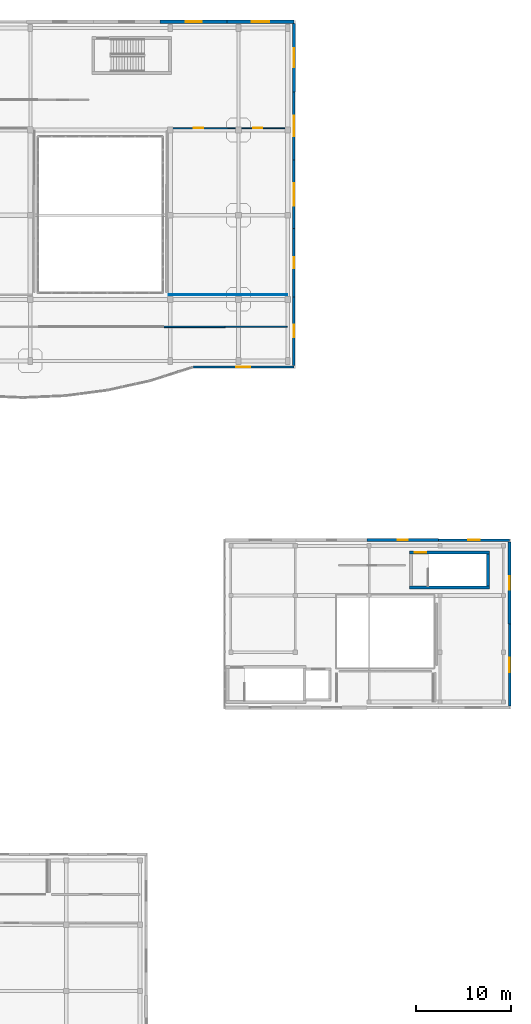
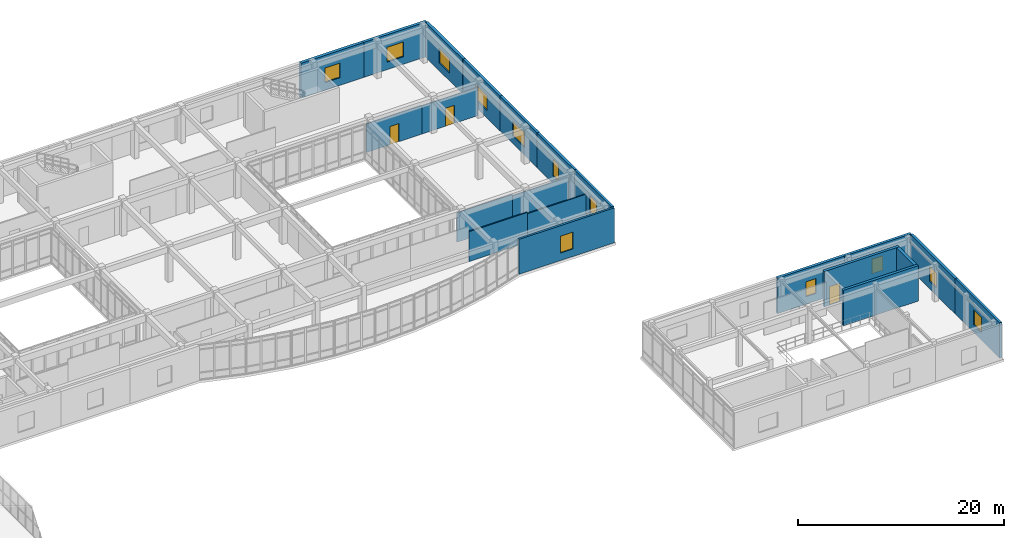
# One storey, part 128 of 142: 21 walls, 12 windows, 3 doors, 15 openings.
"""IFC4 building model written with IfcOpenShell, lengths in metres."""

from ifc_helpers import new_model, si_unit, direction, frame, frame_2d, origin, place, context, subcontext, project, spatial, rectangle, extrude, material, layer, layer_set, type_object, element, fill, save


model = new_model("IFC4")

# Units and contexts
model_context = context("Model", 3, precision=1e-05, world=origin(), true_north=direction((0.0, 1.0)))
body_context = subcontext(model_context, "Body", "Model", "MODEL_VIEW")
ifc_project = project(units=[si_unit("LENGTHUNIT", "METRE"), si_unit("AREAUNIT", "SQUARE_METRE"), si_unit("VOLUMEUNIT", "CUBIC_METRE"), si_unit("PLANEANGLEUNIT", "RADIAN"), si_unit("MASSUNIT", "GRAM", prefix="KILO")], contexts=[model_context])

# Site, building, storey
site_placement = place(None, origin())
site = spatial("IfcSite", under=ifc_project, at=site_placement, CompositionType="ELEMENT")
building_placement = place(site_placement, origin())
building = spatial("IfcBuilding", under=site, at=building_placement, Name="Valcora Specialist Clinic", CompositionType="ELEMENT")
storey_placement = place(building_placement, frame((0.0, 0.0, 5.10009765625)))
storey = spatial("IfcBuildingStorey", under=building, at=storey_placement, Name="L01", CompositionType="ELEMENT", Elevation=5.10009765625)

# Wall
ifc_material_1 = material(Name="Concrete C40/50", Category="concrete")
ifc_layer_1 = layer(ifc_material_1, 0.300048828125)
ifc_layer_set_1 = layer_set([ifc_layer_1], Name="Concrete C40/50")
wall_type_1 = type_object("IfcWallType", Name="TY-WL-CR300", PredefinedType="SHEAR", material=ifc_layer_set_1)
wall_1_placement = place(storey_placement, frame((151.300048828125, 50.85009765625, 0.0), z_axis=(0.0, 0.0, 1.0), x_axis=(1.0, 0.0, 0.0)))
element("IfcWall", 1, at=wall_1_placement, inside=storey, type_object=wall_type_1, Name="Core shear wall WL-CR-C-V3B-L01-S", PredefinedType="SHEAR", context=body_context, shape_type="SweptSolid", body=[
    extrude(rectangle(XDim=8.419921875, YDim=0.300048828125, at=frame_2d((4.2099609375, 0.0))), origin(), (0.0, 0.0, 1.0), 4.205322265625),
])

# Wall, opening, door
wall_2_placement = place(storey_placement, frame((151.300048828125, 54.550048828125, 0.0), z_axis=(0.0, 0.0, 1.0), x_axis=(1.0, 0.0, 0.0)))
wall_2 = element("IfcWall", 2, at=wall_2_placement, inside=storey, type_object=wall_type_1, Name="Core shear wall WL-CR-C-V3B-L01-N", PredefinedType="SHEAR", context=body_context, shape_type="SweptSolid", body=[
    extrude(rectangle(XDim=8.419921875, YDim=0.300048828125, at=frame_2d((4.2099609375, 0.0))), origin(), (0.0, 0.0, 1.0), 4.205322265625),
])
opening_1_placement = place(wall_2_placement, frame((0.550048828125, 0.0, 0.0)))
opening_1 = element("IfcOpeningElement", 3, at=opening_1_placement, cuts=wall_2, Name="Opening DR-FD-120", PredefinedType="OPENING", context=body_context, shape_type="SweptSolid", body=[
    extrude(rectangle(XDim=1.199951171875, YDim=2.199951171875, at=frame_2d((0.60009765625, 1.10009765625))), frame((0.0, 0.159912109375, 0.0), z_axis=(0.0, -1.0, 0.0), x_axis=(1.0, 0.0, 0.0)), (0.0, 0.0, 1.0), 0.320068359375),
])
ifc_material_2 = material(Name="Galvanized Hollow Metal Door Steel ASTM A653", Category="steel")
door_type_1 = type_object("IfcDoorType", Name="TY-DR-ST120", OperationType="NOTDEFINED", PredefinedType="DOOR", material=ifc_material_2)
door_1_placement = place(opening_1_placement, origin())
door_1 = element("IfcDoor", 4, at=door_1_placement, inside=storey, type_object=door_type_1, Name="Exit stair fire door C-V3B L01", OperationType="SINGLE_SWING_RIGHT", OverallHeight=2.199951171875, OverallWidth=1.199951171875, PredefinedType="DOOR", context=body_context, shape_type="SweptSolid", body=[
    extrude(rectangle(XDim=1.199951171875, YDim=2.199951171875, at=frame_2d((0.60009765625, 1.10009765625))), frame((0.0, 0.02490234375, 0.0), z_axis=(0.0, -1.0, 0.0), x_axis=(1.0, 0.0, 0.0)), (0.0, 0.0, 1.0), 0.050048828125),
])
fill(opening_1, door_1)

# Wall
ifc_layer_2 = layer(ifc_material_1, 0.320068359375)
ifc_layer_set_2 = layer_set([ifc_layer_2], Name="Concrete C40/50")
wall_type_2 = type_object("IfcWallType", Name="TY-WL-CR320", PredefinedType="SHEAR", material=ifc_layer_set_2)
wall_3_placement = place(storey_placement, frame((159.56005859375, 51.001953125, 0.0), z_axis=(0.0, 0.0, 1.0), x_axis=(0.0, 1.0, 0.0)))
element("IfcWall", 5, at=wall_3_placement, inside=storey, type_object=wall_type_2, Name="Core shear wall WL-CR-C-V3B-L01-E", PredefinedType="SHEAR", context=body_context, shape_type="SweptSolid", body=[
    extrude(rectangle(XDim=3.39599609375, YDim=0.320068359375, at=frame_2d((1.697998046875, 0.0))), origin(), (0.0, 0.0, 1.0), 4.205322265625),
])

# Wall, opening, window
ifc_material_3 = material(Name="Extruded Jalisco Clay Brick Masonry", Category="masonry")
ifc_layer_3 = layer(ifc_material_3, 0.235107421875)
ifc_layer_set_3 = layer_set([ifc_layer_3], Name="Extruded Jalisco Clay Brick Masonry")
wall_type_3 = type_object("IfcWallType", Name="TY-WL-EW235", PredefinedType="SOLIDWALL", material=ifc_layer_set_3)
wall_4_placement = place(storey_placement, frame((139.050048828125, 74.14990234375, 0.0), z_axis=(0.0, 0.0, 1.0), x_axis=(-1.0, 0.0, 0.0)))
wall_4 = element("IfcWall", 6, at=wall_4_placement, inside=storey, type_object=wall_type_3, Name="Exterior wall WL-EXT-L01-0170", PredefinedType="SOLIDWALL", context=body_context, shape_type="SweptSolid", body=[
    extrude(rectangle(XDim=10.67333984375, YDim=0.235107421875, at=frame_2d((5.336669921875, 0.0))), origin(), (0.0, 0.0, 1.0), 4.14501953125),
])
opening_2_placement = place(wall_4_placement, frame((4.612060546875, 0.0, 0.89990234375)))
opening_2 = element("IfcOpeningElement", 7, at=opening_2_placement, cuts=wall_4, Name="Opening WN-23", PredefinedType="OPENING", context=body_context, shape_type="SweptSolid", body=[
    extrude(rectangle(XDim=1.449951171875, YDim=2.0, at=frame_2d((0.72509765625, 1.0))), frame((0.0, 0.12744140625, 0.0), z_axis=(0.0, -1.0, 0.0), x_axis=(1.0, 0.0, 0.0)), (0.0, 0.0, 1.0), 0.255126953125),
])
ifc_material_4 = material(Name="Low-E Laminated Insulating Glass", Category="glass")
window_type_1 = type_object("IfcWindowType", Name="TY-WN-23", PartitioningType="SINGLE_PANEL", PredefinedType="WINDOW", material=ifc_material_4)
window_1_placement = place(opening_2_placement, origin())
window_1 = element("IfcWindow", 8, at=window_1_placement, inside=storey, type_object=window_type_1, Name="Facade window WN-L01-0149", OverallHeight=2.0, OverallWidth=1.449951171875, PartitioningType="SINGLE_PANEL", PredefinedType="WINDOW", context=body_context, shape_type="SweptSolid", body=[
    extrude(rectangle(XDim=1.449951171875, YDim=2.0, at=frame_2d((0.72509765625, 1.0))), frame((0.0, 0.030029296875, 0.0), z_axis=(0.0, -1.0, 0.0), x_axis=(1.0, 0.0, 0.0)), (0.0, 0.0, 1.0), 0.06005859375),
])
fill(opening_2, window_1)

ifc_layer_4 = layer(ifc_material_3, 0.25)
ifc_layer_set_4 = layer_set([ifc_layer_4], Name="Extruded Jalisco Clay Brick Masonry")
wall_type_4 = type_object("IfcWallType", Name="TY-WL-EW250", PredefinedType="SOLIDWALL", material=ifc_layer_set_4)
wall_5_placement = place(storey_placement, frame((139.050048828125, 81.56396484375, 0.0), z_axis=(0.0, 0.0, 1.0), x_axis=(0.0, -1.0, 0.0)))
wall_5 = element("IfcWall", 9, at=wall_5_placement, inside=storey, type_object=wall_type_4, Name="Exterior wall WL-EXT-L01-0169", PredefinedType="SOLIDWALL", context=body_context, shape_type="SweptSolid", body=[
    extrude(rectangle(XDim=7.223876953125, YDim=0.25, at=frame_2d((3.61181640625, 0.0))), origin(), (0.0, 0.0, 1.0), 4.14501953125),
])
opening_3_placement = place(wall_5_placement, frame((2.9619140625, 0.0, 0.89990234375)))
opening_3 = element("IfcOpeningElement", 10, at=opening_3_placement, cuts=wall_5, Name="Opening WN-22", PredefinedType="OPENING", context=body_context, shape_type="SweptSolid", body=[
    extrude(rectangle(XDim=1.300048828125, YDim=2.0, at=frame_2d((0.64990234375, 1.0))), frame((0.0, 0.135009765625, 0.0), z_axis=(0.0, -1.0, 0.0), x_axis=(1.0, 0.0, 0.0)), (0.0, 0.0, 1.0), 0.27001953125),
])
window_type_2 = type_object("IfcWindowType", Name="TY-WN-22", PartitioningType="SINGLE_PANEL", PredefinedType="WINDOW", material=ifc_material_4)
window_2_placement = place(opening_3_placement, origin())
window_2 = element("IfcWindow", 11, at=window_2_placement, inside=storey, type_object=window_type_2, Name="Facade window WN-L01-0148", OverallHeight=2.0, OverallWidth=1.300048828125, PartitioningType="SINGLE_PANEL", PredefinedType="WINDOW", context=body_context, shape_type="SweptSolid", body=[
    extrude(rectangle(XDim=1.300048828125, YDim=2.0, at=frame_2d((0.64990234375, 1.0))), frame((0.0, 0.030029296875, 0.0), z_axis=(0.0, -1.0, 0.0), x_axis=(1.0, 0.0, 0.0)), (0.0, 0.0, 1.0), 0.06005859375),
])
fill(opening_3, window_2)

ifc_layer_5 = layer(ifc_material_3, 0.264892578125)
ifc_layer_set_5 = layer_set([ifc_layer_5], Name="Extruded Jalisco Clay Brick Masonry")
wall_type_5 = type_object("IfcWallType", Name="TY-WL-EW265", PredefinedType="SOLIDWALL", material=ifc_layer_set_5)
wall_6_placement = place(storey_placement, frame((161.85009765625, 47.0, 0.0), z_axis=(0.0, 0.0, 1.0), x_axis=(0.0, -1.0, 0.0)))
wall_6 = element("IfcWall", 12, at=wall_6_placement, inside=storey, type_object=wall_type_5, Name="Exterior wall WL-EXT-L01-0118", PredefinedType="SOLIDWALL", context=body_context, shape_type="SweptSolid", body=[
    extrude(rectangle(XDim=8.659912109375, YDim=0.264892578125, at=frame_2d((4.330078125, 0.0))), origin(), (0.0, 0.0, 1.0), 4.205322265625),
])
opening_4_placement = place(wall_6_placement, frame((3.554931640625, 0.0, 0.89990234375)))
opening_4 = element("IfcOpeningElement", 13, at=opening_4_placement, cuts=wall_6, Name="Opening WN-15", PredefinedType="OPENING", context=body_context, shape_type="SweptSolid", body=[
    extrude(rectangle(XDim=1.550048828125, YDim=1.75, at=frame_2d((0.77490234375, 0.875))), frame((0.0, 0.142333984375, 0.0), z_axis=(0.0, -1.0, 0.0), x_axis=(1.0, 0.0, 0.0)), (0.0, 0.0, 1.0), 0.284912109375),
])
window_type_3 = type_object("IfcWindowType", Name="TY-WN-15", PartitioningType="SINGLE_PANEL", PredefinedType="WINDOW", material=ifc_material_4)
window_3_placement = place(opening_4_placement, origin())
window_3 = element("IfcWindow", 14, at=window_3_placement, inside=storey, type_object=window_type_3, Name="Facade window WN-L01-0099", OverallHeight=1.75, OverallWidth=1.550048828125, PartitioningType="SINGLE_PANEL", PredefinedType="WINDOW", context=body_context, shape_type="SweptSolid", body=[
    extrude(rectangle(XDim=1.550048828125, YDim=1.75, at=frame_2d((0.77490234375, 0.875))), frame((0.0, 0.030029296875, 0.0), z_axis=(0.0, -1.0, 0.0), x_axis=(1.0, 0.0, 0.0)), (0.0, 0.0, 1.0), 0.06005859375),
])
fill(opening_4, window_3)

wall_7_placement = place(storey_placement, frame((139.050048828125, 88.7880859375, 0.0), z_axis=(0.0, 0.0, 1.0), x_axis=(0.0, -1.0, 0.0)))
wall_7 = element("IfcWall", 15, at=wall_7_placement, inside=storey, type_object=wall_type_5, Name="Exterior wall WL-EXT-L01-0168", PredefinedType="SOLIDWALL", context=body_context, shape_type="SweptSolid", body=[
    extrude(rectangle(XDim=7.22412109375, YDim=0.264892578125, at=frame_2d((3.612060546875, 0.0))), origin(), (0.0, 0.0, 1.0), 4.14501953125),
])
opening_5_placement = place(wall_7_placement, frame((3.037109375, 0.0, 0.89990234375)))
opening_5 = element("IfcOpeningElement", 16, at=opening_5_placement, cuts=wall_7, Name="Opening WN-21", PredefinedType="OPENING", context=body_context, shape_type="SweptSolid", body=[
    extrude(rectangle(XDim=1.14990234375, YDim=2.0, at=frame_2d((0.574951171875, 1.0))), frame((0.0, 0.142333984375, 0.0), z_axis=(0.0, -1.0, 0.0), x_axis=(1.0, 0.0, 0.0)), (0.0, 0.0, 1.0), 0.284912109375),
])
window_type_4 = type_object("IfcWindowType", Name="TY-WN-21", PartitioningType="SINGLE_PANEL", PredefinedType="WINDOW", material=ifc_material_4)
window_4_placement = place(opening_5_placement, origin())
window_4 = element("IfcWindow", 17, at=window_4_placement, inside=storey, type_object=window_type_4, Name="Facade window WN-L01-0147", OverallHeight=2.0, OverallWidth=1.14990234375, PartitioningType="SINGLE_PANEL", PredefinedType="WINDOW", context=body_context, shape_type="SweptSolid", body=[
    extrude(rectangle(XDim=1.14990234375, YDim=2.0, at=frame_2d((0.574951171875, 1.0))), frame((0.0, 0.030029296875, 0.0), z_axis=(0.0, -1.0, 0.0), x_axis=(1.0, 0.0, 0.0)), (0.0, 0.0, 1.0), 0.06005859375),
])
fill(opening_5, window_4)

ifc_layer_6 = layer(ifc_material_3, 0.280029296875)
ifc_layer_set_6 = layer_set([ifc_layer_6], Name="Extruded Jalisco Clay Brick Masonry")
wall_type_6 = type_object("IfcWallType", Name="TY-WL-EW280", PredefinedType="SOLIDWALL", material=ifc_layer_set_6)
wall_8_placement = place(storey_placement, frame((161.85009765625, 55.659912109375, 0.0), z_axis=(0.0, 0.0, 1.0), x_axis=(0.0, -1.0, 0.0)))
wall_8 = element("IfcWall", 18, at=wall_8_placement, inside=storey, type_object=wall_type_6, Name="Exterior wall WL-EXT-L01-0117", PredefinedType="SOLIDWALL", context=body_context, shape_type="SweptSolid", body=[
    extrude(rectangle(XDim=8.659912109375, YDim=0.280029296875, at=frame_2d((4.330078125, 0.0))), origin(), (0.0, 0.0, 1.0), 4.205322265625),
])
opening_6_placement = place(wall_8_placement, frame((3.6298828125, 0.0, 0.89990234375)))
opening_6 = element("IfcOpeningElement", 19, at=opening_6_placement, cuts=wall_8, Name="Opening WN-14", PredefinedType="OPENING", context=body_context, shape_type="SweptSolid", body=[
    extrude(rectangle(XDim=1.39990234375, YDim=1.75, at=frame_2d((0.699951171875, 0.875))), frame((0.0, 0.14990234375, 0.0), z_axis=(0.0, -1.0, 0.0), x_axis=(1.0, 0.0, 0.0)), (0.0, 0.0, 1.0), 0.300048828125),
])
window_type_5 = type_object("IfcWindowType", Name="TY-WN-14", PartitioningType="SINGLE_PANEL", PredefinedType="WINDOW", material=ifc_material_4)
window_5_placement = place(opening_6_placement, origin())
window_5 = element("IfcWindow", 20, at=window_5_placement, inside=storey, type_object=window_type_5, Name="Facade window WN-L01-0098", OverallHeight=1.75, OverallWidth=1.39990234375, PartitioningType="SINGLE_PANEL", PredefinedType="WINDOW", context=body_context, shape_type="SweptSolid", body=[
    extrude(rectangle(XDim=1.39990234375, YDim=1.75, at=frame_2d((0.699951171875, 0.875))), frame((0.0, 0.030029296875, 0.0), z_axis=(0.0, -1.0, 0.0), x_axis=(1.0, 0.0, 0.0)), (0.0, 0.0, 1.0), 0.06005859375),
])
fill(opening_6, window_5)

wall_9_placement = place(storey_placement, frame((139.050048828125, 96.011962890625, 0.0), z_axis=(0.0, 0.0, 1.0), x_axis=(0.0, -1.0, 0.0)))
wall_9 = element("IfcWall", 21, at=wall_9_placement, inside=storey, type_object=wall_type_6, Name="Exterior wall WL-EXT-L01-0167", PredefinedType="SOLIDWALL", context=body_context, shape_type="SweptSolid", body=[
    extrude(rectangle(XDim=7.223876953125, YDim=0.280029296875, at=frame_2d((3.61181640625, 0.0))), origin(), (0.0, 0.0, 1.0), 4.14501953125),
])
opening_7_placement = place(wall_9_placement, frame((2.412109375, 0.0, 0.89990234375)))
opening_7 = element("IfcOpeningElement", 22, at=opening_7_placement, cuts=wall_9, Name="Opening WN-20", PredefinedType="OPENING", context=body_context, shape_type="SweptSolid", body=[
    extrude(rectangle(XDim=2.39990234375, YDim=1.75, at=frame_2d((1.199951171875, 0.875))), frame((0.0, 0.14990234375, 0.0), z_axis=(0.0, -1.0, 0.0), x_axis=(1.0, 0.0, 0.0)), (0.0, 0.0, 1.0), 0.300048828125),
])
window_type_6 = type_object("IfcWindowType", Name="TY-WN-20", PartitioningType="SINGLE_PANEL", PredefinedType="WINDOW", material=ifc_material_4)
window_6_placement = place(opening_7_placement, origin())
window_6 = element("IfcWindow", 23, at=window_6_placement, inside=storey, type_object=window_type_6, Name="Facade window WN-L01-0146", OverallHeight=1.75, OverallWidth=2.39990234375, PartitioningType="SINGLE_PANEL", PredefinedType="WINDOW", context=body_context, shape_type="SweptSolid", body=[
    extrude(rectangle(XDim=2.39990234375, YDim=1.75, at=frame_2d((1.199951171875, 0.875))), frame((0.0, 0.030029296875, 0.0), z_axis=(0.0, -1.0, 0.0), x_axis=(1.0, 0.0, 0.0)), (0.0, 0.0, 1.0), 0.06005859375),
])
fill(opening_7, window_6)

ifc_layer_7 = layer(ifc_material_3, 0.294921875)
ifc_layer_set_7 = layer_set([ifc_layer_7], Name="Extruded Jalisco Clay Brick Masonry")
wall_type_7 = type_object("IfcWallType", Name="TY-WL-EW295", PredefinedType="SOLIDWALL", material=ifc_layer_set_7)
wall_10_placement = place(storey_placement, frame((154.324951171875, 55.85009765625, 0.0), z_axis=(0.0, 0.0, 1.0), x_axis=(1.0, 0.0, 0.0)))
wall_10 = element("IfcWall", 24, at=wall_10_placement, inside=storey, type_object=wall_type_7, Name="Exterior wall WL-EXT-L01-0116", PredefinedType="SOLIDWALL", context=body_context, shape_type="SweptSolid", body=[
    extrude(rectangle(XDim=7.525146484375, YDim=0.294921875, at=frame_2d((3.7626953125, 0.0))), origin(), (0.0, 0.0, 1.0), 4.205322265625),
])
opening_8_placement = place(wall_10_placement, frame((3.137939453125, 0.0, 0.89990234375)))
opening_8 = element("IfcOpeningElement", 25, at=opening_8_placement, cuts=wall_10, Name="Opening WN-13", PredefinedType="OPENING", context=body_context, shape_type="SweptSolid", body=[
    extrude(rectangle(XDim=1.25, YDim=1.75, at=frame_2d((0.625, 0.875))), frame((0.0, 0.157470703125, 0.0), z_axis=(0.0, -1.0, 0.0), x_axis=(1.0, 0.0, 0.0)), (0.0, 0.0, 1.0), 0.31494140625),
])
window_type_7 = type_object("IfcWindowType", Name="TY-WN-13", PartitioningType="SINGLE_PANEL", PredefinedType="WINDOW", material=ifc_material_4)
window_7_placement = place(opening_8_placement, origin())
window_7 = element("IfcWindow", 26, at=window_7_placement, inside=storey, type_object=window_type_7, Name="Facade window WN-L01-0097", OverallHeight=1.75, OverallWidth=1.25, PartitioningType="SINGLE_PANEL", PredefinedType="WINDOW", context=body_context, shape_type="SweptSolid", body=[
    extrude(rectangle(XDim=1.25, YDim=1.75, at=frame_2d((0.625, 0.875))), frame((0.0, 0.030029296875, 0.0), z_axis=(0.0, -1.0, 0.0), x_axis=(1.0, 0.0, 0.0)), (0.0, 0.0, 1.0), 0.06005859375),
])
fill(opening_8, window_7)

wall_11_placement = place(storey_placement, frame((139.050048828125, 103.236083984375, 0.0), z_axis=(0.0, 0.0, 1.0), x_axis=(0.0, -1.0, 0.0)))
wall_11 = element("IfcWall", 27, at=wall_11_placement, inside=storey, type_object=wall_type_7, Name="Exterior wall WL-EXT-L01-0166", PredefinedType="SOLIDWALL", context=body_context, shape_type="SweptSolid", body=[
    extrude(rectangle(XDim=7.22412109375, YDim=0.294921875, at=frame_2d((3.612060546875, 0.0))), origin(), (0.0, 0.0, 1.0), 4.14501953125),
])
opening_9_placement = place(wall_11_placement, frame((2.511962890625, 0.0, 0.89990234375)))
opening_9 = element("IfcOpeningElement", 28, at=opening_9_placement, cuts=wall_11, Name="Opening WN-19", PredefinedType="OPENING", context=body_context, shape_type="SweptSolid", body=[
    extrude(rectangle(XDim=2.199951171875, YDim=1.75, at=frame_2d((1.10009765625, 0.875))), frame((0.0, 0.157470703125, 0.0), z_axis=(0.0, -1.0, 0.0), x_axis=(1.0, 0.0, 0.0)), (0.0, 0.0, 1.0), 0.31494140625),
])
window_type_8 = type_object("IfcWindowType", Name="TY-WN-19", PartitioningType="SINGLE_PANEL", PredefinedType="WINDOW", material=ifc_material_4)
window_8_placement = place(opening_9_placement, origin())
window_8 = element("IfcWindow", 29, at=window_8_placement, inside=storey, type_object=window_type_8, Name="Facade window WN-L01-0145", OverallHeight=1.75, OverallWidth=2.199951171875, PartitioningType="SINGLE_PANEL", PredefinedType="WINDOW", context=body_context, shape_type="SweptSolid", body=[
    extrude(rectangle(XDim=2.199951171875, YDim=1.75, at=frame_2d((1.10009765625, 0.875))), frame((0.0, 0.030029296875, 0.0), z_axis=(0.0, -1.0, 0.0), x_axis=(1.0, 0.0, 0.0)), (0.0, 0.0, 1.0), 0.06005859375),
])
fill(opening_9, window_8)

ifc_layer_8 = layer(ifc_material_3, 0.31005859375)
ifc_layer_set_8 = layer_set([ifc_layer_8], Name="Extruded Jalisco Clay Brick Masonry")
wall_type_8 = type_object("IfcWallType", Name="TY-WL-EW310", PredefinedType="SOLIDWALL", material=ifc_layer_set_8)
wall_12_placement = place(storey_placement, frame((146.800048828125, 55.85009765625, 0.0), z_axis=(0.0, 0.0, 1.0), x_axis=(1.0, 0.0, 0.0)))
wall_12 = element("IfcWall", 30, at=wall_12_placement, inside=storey, type_object=wall_type_8, Name="Exterior wall WL-EXT-L01-0115", PredefinedType="SOLIDWALL", context=body_context, shape_type="SweptSolid", body=[
    extrude(rectangle(XDim=7.52490234375, YDim=0.31005859375, at=frame_2d((3.762451171875, 0.0))), origin(), (0.0, 0.0, 1.0), 4.205322265625),
])
opening_10_placement = place(wall_12_placement, frame((3.2119140625, 0.0, 0.89990234375)))
opening_10 = element("IfcOpeningElement", 31, at=opening_10_placement, cuts=wall_12, Name="Opening WN-12", PredefinedType="OPENING", context=body_context, shape_type="SweptSolid", body=[
    extrude(rectangle(XDim=1.10009765625, YDim=1.75, at=frame_2d((0.550048828125, 0.875))), frame((0.0, 0.1650390625, 0.0), z_axis=(0.0, -1.0, 0.0), x_axis=(1.0, 0.0, 0.0)), (0.0, 0.0, 1.0), 0.330078125),
])
window_type_9 = type_object("IfcWindowType", Name="TY-WN-12", PartitioningType="SINGLE_PANEL", PredefinedType="WINDOW", material=ifc_material_4)
window_9_placement = place(opening_10_placement, origin())
window_9 = element("IfcWindow", 32, at=window_9_placement, inside=storey, type_object=window_type_9, Name="Facade window WN-L01-0096", OverallHeight=1.75, OverallWidth=1.10009765625, PartitioningType="SINGLE_PANEL", PredefinedType="WINDOW", context=body_context, shape_type="SweptSolid", body=[
    extrude(rectangle(XDim=1.10009765625, YDim=1.75, at=frame_2d((0.550048828125, 0.875))), frame((0.0, 0.030029296875, 0.0), z_axis=(0.0, -1.0, 0.0), x_axis=(1.0, 0.0, 0.0)), (0.0, 0.0, 1.0), 0.06005859375),
])
fill(opening_10, window_9)

wall_13_placement = place(storey_placement, frame((139.050048828125, 110.4599609375, 0.0), z_axis=(0.0, 0.0, 1.0), x_axis=(0.0, -1.0, 0.0)))
wall_13 = element("IfcWall", 33, at=wall_13_placement, inside=storey, type_object=wall_type_8, Name="Exterior wall WL-EXT-L01-0165", PredefinedType="SOLIDWALL", context=body_context, shape_type="SweptSolid", body=[
    extrude(rectangle(XDim=7.223876953125, YDim=0.31005859375, at=frame_2d((3.61181640625, 0.0))), origin(), (0.0, 0.0, 1.0), 4.14501953125),
])
opening_11_placement = place(wall_13_placement, frame((2.612060546875, 0.0, 0.89990234375)))
opening_11 = element("IfcOpeningElement", 34, at=opening_11_placement, cuts=wall_13, Name="Opening WN-18", PredefinedType="OPENING", context=body_context, shape_type="SweptSolid", body=[
    extrude(rectangle(XDim=2.0, YDim=1.75, at=frame_2d((1.0, 0.875))), frame((0.0, 0.1650390625, 0.0), z_axis=(0.0, -1.0, 0.0), x_axis=(1.0, 0.0, 0.0)), (0.0, 0.0, 1.0), 0.330078125),
])
window_type_10 = type_object("IfcWindowType", Name="TY-WN-18", PartitioningType="SINGLE_PANEL", PredefinedType="WINDOW", material=ifc_material_4)
window_10_placement = place(opening_11_placement, origin())
window_10 = element("IfcWindow", 35, at=window_10_placement, inside=storey, type_object=window_type_10, Name="Facade window WN-L01-0144", OverallHeight=1.75, OverallWidth=2.0, PartitioningType="SINGLE_PANEL", PredefinedType="WINDOW", context=body_context, shape_type="SweptSolid", body=[
    extrude(rectangle(XDim=2.0, YDim=1.75, at=frame_2d((1.0, 0.875))), frame((0.0, 0.030029296875, 0.0), z_axis=(0.0, -1.0, 0.0), x_axis=(1.0, 0.0, 0.0)), (0.0, 0.0, 1.0), 0.06005859375),
])
fill(opening_11, window_10)

ifc_layer_9 = layer(ifc_material_3, 0.324951171875)
ifc_layer_set_9 = layer_set([ifc_layer_9], Name="Extruded Jalisco Clay Brick Masonry")
wall_type_9 = type_object("IfcWallType", Name="TY-WL-EW325", PredefinedType="SOLIDWALL", material=ifc_layer_set_9)
wall_14_placement = place(storey_placement, frame((131.986328125, 110.64990234375, 0.0), z_axis=(0.0, 0.0, 1.0), x_axis=(1.0, 0.0, 0.0)))
wall_14 = element("IfcWall", 36, at=wall_14_placement, inside=storey, type_object=wall_type_9, Name="Exterior wall WL-EXT-L01-0164", PredefinedType="SOLIDWALL", context=body_context, shape_type="SweptSolid", body=[
    extrude(rectangle(XDim=7.063720703125, YDim=0.324951171875, at=frame_2d((3.53173828125, 0.0))), origin(), (0.0, 0.0, 1.0), 4.14501953125),
])
opening_12_placement = place(wall_14_placement, frame((2.60693359375, 0.0, 0.89990234375)))
opening_12 = element("IfcOpeningElement", 37, at=opening_12_placement, cuts=wall_14, Name="Opening WN-17", PredefinedType="OPENING", context=body_context, shape_type="SweptSolid", body=[
    extrude(rectangle(XDim=1.85009765625, YDim=1.75, at=frame_2d((0.925048828125, 0.875))), frame((0.0, 0.17236328125, 0.0), z_axis=(0.0, -1.0, 0.0), x_axis=(1.0, 0.0, 0.0)), (0.0, 0.0, 1.0), 0.344970703125),
])
window_type_11 = type_object("IfcWindowType", Name="TY-WN-17", PartitioningType="SINGLE_PANEL", PredefinedType="WINDOW", material=ifc_material_4)
window_11_placement = place(opening_12_placement, origin())
window_11 = element("IfcWindow", 38, at=window_11_placement, inside=storey, type_object=window_type_11, Name="Facade window WN-L01-0143", OverallHeight=1.75, OverallWidth=1.85009765625, PartitioningType="SINGLE_PANEL", PredefinedType="WINDOW", context=body_context, shape_type="SweptSolid", body=[
    extrude(rectangle(XDim=1.85009765625, YDim=1.75, at=frame_2d((0.925048828125, 0.875))), frame((0.0, 0.030029296875, 0.0), z_axis=(0.0, -1.0, 0.0), x_axis=(1.0, 0.0, 0.0)), (0.0, 0.0, 1.0), 0.06005859375),
])
fill(opening_12, window_11)

ifc_layer_10 = layer(ifc_material_3, 0.340087890625)
ifc_layer_set_10 = layer_set([ifc_layer_10], Name="Extruded Jalisco Clay Brick Masonry")
wall_type_10 = type_object("IfcWallType", Name="TY-WL-EW340", PredefinedType="SOLIDWALL", material=ifc_layer_set_10)
wall_15_placement = place(storey_placement, frame((124.922607421875, 110.64990234375, 0.0), z_axis=(0.0, 0.0, 1.0), x_axis=(1.0, 0.0, 0.0)))
wall_15 = element("IfcWall", 39, at=wall_15_placement, inside=storey, type_object=wall_type_10, Name="Exterior wall WL-EXT-L01-0163", PredefinedType="SOLIDWALL", context=body_context, shape_type="SweptSolid", body=[
    extrude(rectangle(XDim=7.063720703125, YDim=0.340087890625, at=frame_2d((3.53173828125, 0.0))), origin(), (0.0, 0.0, 1.0), 4.14501953125),
])
opening_13_placement = place(wall_15_placement, frame((2.681884765625, 0.0, 0.89990234375)))
opening_13 = element("IfcOpeningElement", 40, at=opening_13_placement, cuts=wall_15, Name="Opening WN-16", PredefinedType="OPENING", context=body_context, shape_type="SweptSolid", body=[
    extrude(rectangle(XDim=1.699951171875, YDim=1.75, at=frame_2d((0.85009765625, 0.875))), frame((0.0, 0.179931640625, 0.0), z_axis=(0.0, -1.0, 0.0), x_axis=(1.0, 0.0, 0.0)), (0.0, 0.0, 1.0), 0.360107421875),
])
window_type_12 = type_object("IfcWindowType", Name="TY-WN-16", PartitioningType="SINGLE_PANEL", PredefinedType="WINDOW", material=ifc_material_4)
window_12_placement = place(opening_13_placement, origin())
window_12 = element("IfcWindow", 41, at=window_12_placement, inside=storey, type_object=window_type_12, Name="Facade window WN-L01-0142", OverallHeight=1.75, OverallWidth=1.699951171875, PartitioningType="SINGLE_PANEL", PredefinedType="WINDOW", context=body_context, shape_type="SweptSolid", body=[
    extrude(rectangle(XDim=1.699951171875, YDim=1.75, at=frame_2d((0.85009765625, 0.875))), frame((0.0, 0.030029296875, 0.0), z_axis=(0.0, -1.0, 0.0), x_axis=(1.0, 0.0, 0.0)), (0.0, 0.0, 1.0), 0.06005859375),
])
fill(opening_13, window_12)

# Walls
ifc_material_5 = material(Name="Gypsum Board Partition Assembly")
ifc_layer_11 = layer(ifc_material_5, 0.094970703125)
ifc_layer_set_11 = layer_set([ifc_layer_11], Name="Gypsum Board Partition Assembly")
wall_type_11 = type_object("IfcWallType", Name="TY-WL-PT095", PredefinedType="PARTITIONING", material=ifc_layer_set_11)
wall_16_placement = place(storey_placement, frame((132.10009765625, 81.800048828125, 0.0), z_axis=(0.0, 0.0, 1.0), x_axis=(-1.0, 0.0, 0.0)))
element("IfcWall", 42, at=wall_16_placement, inside=storey, type_object=wall_type_11, Name="Interior partition WL-INT-L01-0227", PredefinedType="PARTITIONING", context=body_context, shape_type="SweptSolid", body=[
    extrude(rectangle(XDim=6.25, YDim=0.094970703125, at=frame_2d((3.125, 0.0))), origin(), (0.0, 0.0, 1.0), 3.494873046875),
])
ifc_layer_12 = layer(ifc_material_5, 0.10498046875)
ifc_layer_set_12 = layer_set([ifc_layer_12], Name="Gypsum Board Partition Assembly")
wall_type_12 = type_object("IfcWallType", Name="TY-WL-PT105", PredefinedType="PARTITIONING", material=ifc_layer_set_12)
wall_17_placement = place(storey_placement, frame((138.35009765625, 81.800048828125, 0.0), z_axis=(0.0, 0.0, 1.0), x_axis=(-1.0, 0.0, 0.0)))
element("IfcWall", 43, at=wall_17_placement, inside=storey, type_object=wall_type_12, Name="Interior partition WL-INT-L01-0226", PredefinedType="PARTITIONING", context=body_context, shape_type="SweptSolid", body=[
    extrude(rectangle(XDim=6.25, YDim=0.10498046875, at=frame_2d((3.125, 0.0))), origin(), (0.0, 0.0, 1.0), 3.344970703125),
])

# Wall, opening, door
ifc_layer_13 = layer(ifc_material_5, 0.114990234375)
ifc_layer_set_13 = layer_set([ifc_layer_13], Name="Gypsum Board Partition Assembly")
wall_type_13 = type_object("IfcWallType", Name="TY-WL-PT115", PredefinedType="PARTITIONING", material=ifc_layer_set_13)
wall_18_placement = place(storey_placement, frame((132.10009765625, 99.39990234375, 0.0), z_axis=(0.0, 0.0, 1.0), x_axis=(1.0, 0.0, 0.0)))
wall_18 = element("IfcWall", 44, at=wall_18_placement, inside=storey, type_object=wall_type_13, Name="Interior partition WL-INT-L01-0225", PredefinedType="PARTITIONING", context=body_context, shape_type="SweptSolid", body=[
    extrude(rectangle(XDim=6.25, YDim=0.114990234375, at=frame_2d((3.125, 0.0))), origin(), (0.0, 0.0, 1.0), 3.344970703125),
])
opening_14_placement = place(wall_18_placement, frame((2.635009765625, 0.0, 0.0)))
opening_14 = element("IfcOpeningElement", 45, at=opening_14_placement, cuts=wall_18, Name="Opening DR-CN-098", PredefinedType="OPENING", context=body_context, shape_type="SweptSolid", body=[
    extrude(rectangle(XDim=0.97998046875, YDim=2.14990234375, at=frame_2d((0.489990234375, 1.074951171875))), frame((0.0, 0.0673828125, 0.0), z_axis=(0.0, -1.0, 0.0), x_axis=(1.0, 0.0, 0.0)), (0.0, 0.0, 1.0), 0.135009765625),
])
ifc_material_6 = material(Name="Glulam Conifer Class 24F", Category="wood")
door_type_2 = type_object("IfcDoorType", Name="TY-DR-CN098", OperationType="NOTDEFINED", PredefinedType="DOOR", material=ifc_material_6)
door_2_placement = place(opening_14_placement, origin())
door_2 = element("IfcDoor", 46, at=door_2_placement, inside=storey, type_object=door_type_2, Name="Interior door DR-INT-L01-0063", OperationType="SINGLE_SWING_LEFT", OverallHeight=2.14990234375, OverallWidth=0.97998046875, PredefinedType="DOOR", context=body_context, shape_type="SweptSolid", body=[
    extrude(rectangle(XDim=0.97998046875, YDim=2.14990234375, at=frame_2d((0.489990234375, 1.074951171875))), frame((0.0, 0.02490234375, 0.0), z_axis=(0.0, -1.0, 0.0), x_axis=(1.0, 0.0, 0.0)), (0.0, 0.0, 1.0), 0.050048828125),
])
fill(opening_14, door_2)

ifc_layer_14 = layer(ifc_material_5, 0.125)
ifc_layer_set_14 = layer_set([ifc_layer_14], Name="Gypsum Board Partition Assembly")
wall_type_14 = type_object("IfcWallType", Name="TY-WL-PT125", PredefinedType="PARTITIONING", material=ifc_layer_set_14)
wall_19_placement = place(storey_placement, frame((125.85009765625, 99.39990234375, 0.0), z_axis=(0.0, 0.0, 1.0), x_axis=(1.0, 0.0, 0.0)))
wall_19 = element("IfcWall", 47, at=wall_19_placement, inside=storey, type_object=wall_type_14, Name="Interior partition WL-INT-L01-0224", PredefinedType="PARTITIONING", context=body_context, shape_type="SweptSolid", body=[
    extrude(rectangle(XDim=6.25, YDim=0.125, at=frame_2d((3.125, 0.0))), origin(), (0.0, 0.0, 1.0), 3.39501953125),
])
opening_15_placement = place(wall_19_placement, frame((2.614990234375, 0.0, 0.0)))
opening_15 = element("IfcOpeningElement", 48, at=opening_15_placement, cuts=wall_19, Name="Opening DR-CN-102", PredefinedType="OPENING", context=body_context, shape_type="SweptSolid", body=[
    extrude(rectangle(XDim=1.02001953125, YDim=2.14990234375, at=frame_2d((0.510009765625, 1.074951171875))), frame((0.0, 0.072509765625, 0.0), z_axis=(0.0, -1.0, 0.0), x_axis=(1.0, 0.0, 0.0)), (0.0, 0.0, 1.0), 0.14501953125),
])
door_type_3 = type_object("IfcDoorType", Name="TY-DR-CN102", OperationType="NOTDEFINED", PredefinedType="DOOR", material=ifc_material_6)
door_3_placement = place(opening_15_placement, origin())
door_3 = element("IfcDoor", 49, at=door_3_placement, inside=storey, type_object=door_type_3, Name="Interior door DR-INT-L01-0062", OperationType="SINGLE_SWING_RIGHT", OverallHeight=2.14990234375, OverallWidth=1.02001953125, PredefinedType="DOOR", context=body_context, shape_type="SweptSolid", body=[
    extrude(rectangle(XDim=1.02001953125, YDim=2.14990234375, at=frame_2d((0.510009765625, 1.074951171875))), frame((0.0, 0.02490234375, 0.0), z_axis=(0.0, -1.0, 0.0), x_axis=(1.0, 0.0, 0.0)), (0.0, 0.0, 1.0), 0.050048828125),
])
fill(opening_15, door_3)

# Walls
ifc_layer_15 = layer(ifc_material_5, 0.135009765625)
ifc_layer_set_15 = layer_set([ifc_layer_15], Name="Gypsum Board Partition Assembly")
wall_type_15 = type_object("IfcWallType", Name="TY-WL-PT135", PredefinedType="PARTITIONING", material=ifc_layer_set_15)
wall_20_placement = place(storey_placement, frame((131.79296875, 78.39990234375, 0.0), z_axis=(0.0, 0.0, 1.0), x_axis=(1.0, 0.0, 0.0)))
element("IfcWall", 50, at=wall_20_placement, inside=storey, type_object=wall_type_15, Name="Interior partition WL-INT-L01-0211", PredefinedType="PARTITIONING", context=body_context, shape_type="SweptSolid", body=[
    extrude(rectangle(XDim=6.55712890625, YDim=0.135009765625, at=frame_2d((3.278564453125, 0.0))), origin(), (0.0, 0.0, 1.0), 3.39501953125),
])
ifc_layer_16 = layer(ifc_material_5, 0.14501953125)
ifc_layer_set_16 = layer_set([ifc_layer_16], Name="Gypsum Board Partition Assembly")
wall_type_16 = type_object("IfcWallType", Name="TY-WL-PT145", PredefinedType="PARTITIONING", material=ifc_layer_set_16)
wall_21_placement = place(storey_placement, frame((125.236083984375, 78.39990234375, 0.0), z_axis=(0.0, 0.0, 1.0), x_axis=(1.0, 0.0, 0.0)))
element("IfcWall", 51, at=wall_21_placement, inside=storey, type_object=wall_type_16, Name="Interior partition WL-INT-L01-0210", PredefinedType="PARTITIONING", context=body_context, shape_type="SweptSolid", body=[
    extrude(rectangle(XDim=6.556884765625, YDim=0.14501953125, at=frame_2d((3.2783203125, 0.0))), origin(), (0.0, 0.0, 1.0), 3.544921875),
])

save(model, "model.ifc")
